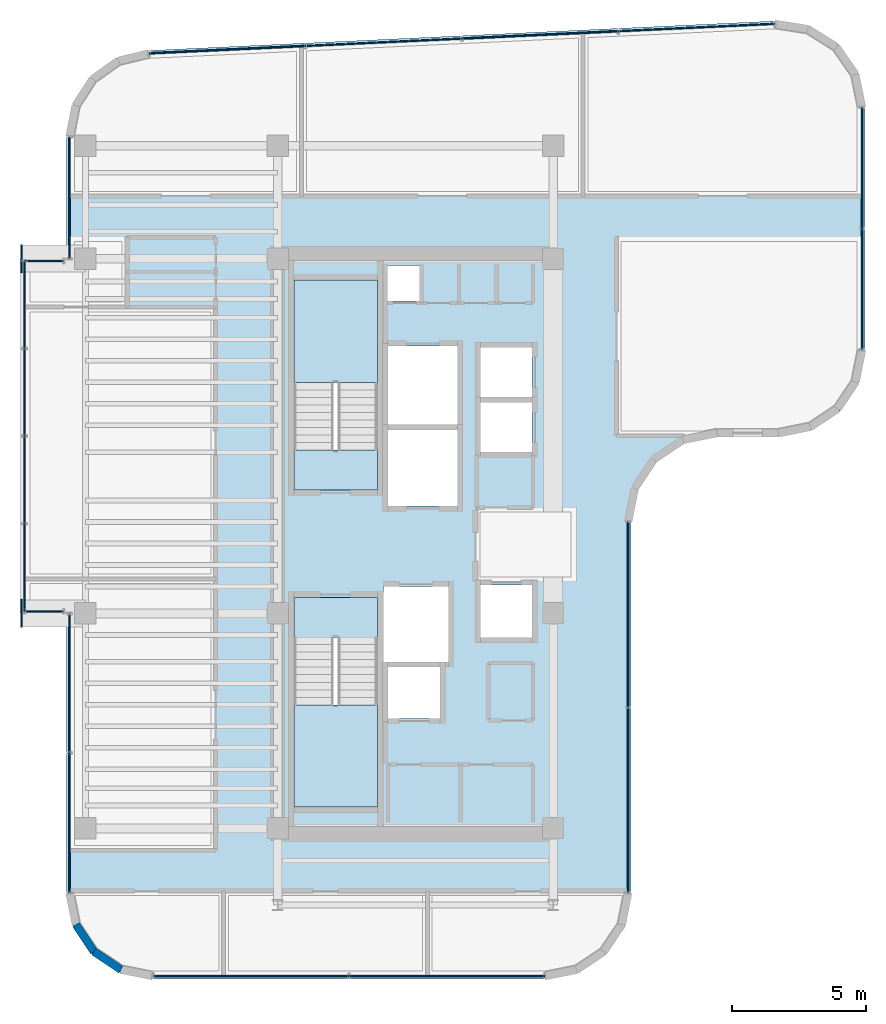
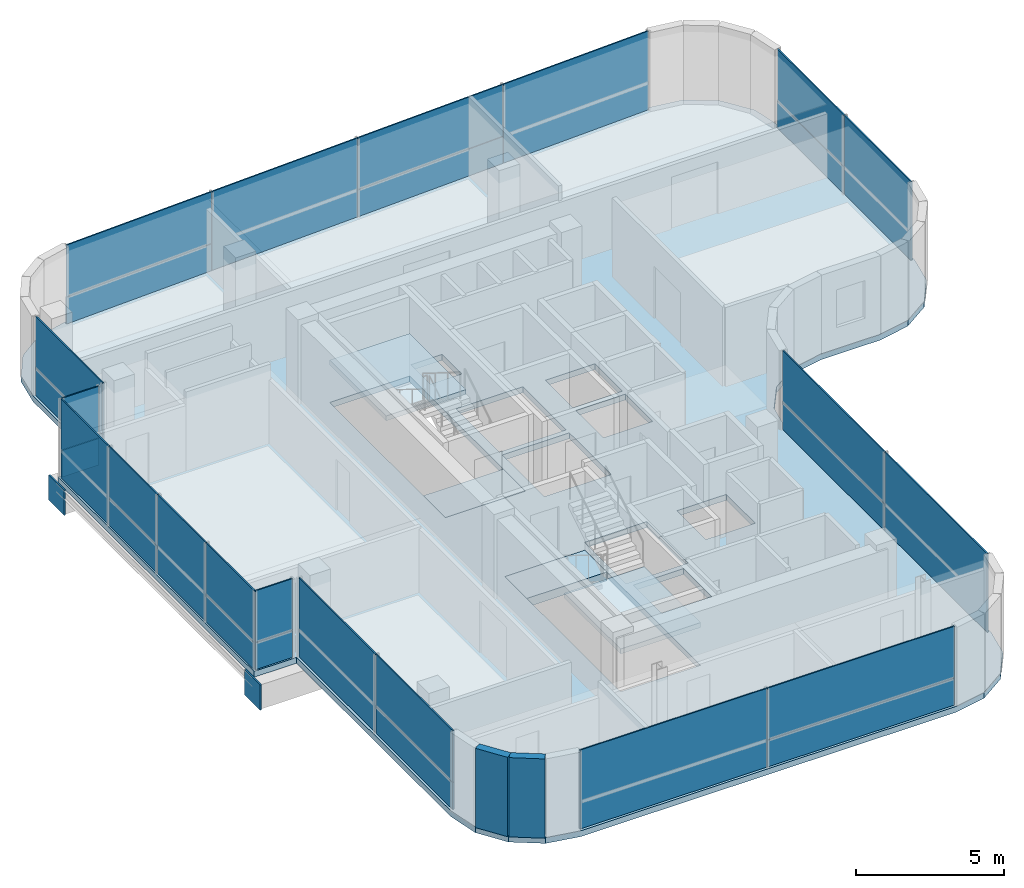
# One storey, part 13 of 18: 32 plates, 5 slabs, 2 walls, 11 elements without a shape of their own.
"""IFC4 building model written with IfcOpenShell, lengths in metres."""

from ifc_helpers import new_model, si_unit, direction, frame, frame_2d, origin, origin_2d, place, context, subcontext, project, spatial, polyline, rectangle, outline, extrude, source, transform, mapped, material, layer, layer_set, type_object, element, aggregate, save


model = new_model("IFC4")

# Units and contexts
model_context = context("Model", 3, precision=1e-05, world=origin(), true_north=direction((0.0, 1.0)))
body_context = subcontext(model_context, "Body", "Model", "MODEL_VIEW")
ifc_project = project(units=[si_unit("LENGTHUNIT", "METRE"), si_unit("AREAUNIT", "SQUARE_METRE"), si_unit("VOLUMEUNIT", "CUBIC_METRE"), si_unit("PLANEANGLEUNIT", "RADIAN"), si_unit("MASSUNIT", "GRAM", prefix="KILO")], contexts=[model_context])

# Site, building, storey
site_placement = place(None, origin())
site = spatial("IfcSite", under=ifc_project, at=site_placement, CompositionType="ELEMENT")
building_placement = place(site_placement, origin())
building = spatial("IfcBuilding", under=site, at=building_placement, Name="Valdorenza Pilgrim Sanctuary Tower", CompositionType="ELEMENT")
storey_placement = place(building_placement, frame((0.0, 0.0, 273.0)))
storey = spatial("IfcBuildingStorey", under=building, at=storey_placement, Name="L71", CompositionType="ELEMENT", Elevation=273.0)

# Slab
ifc_material_1 = material(Name="Concrete C40/50", Category="concrete")
ifc_layer_1 = layer(ifc_material_1, 0.239990234375, Name="Concrete C40/50")
ifc_layer_set_1 = layer_set([ifc_layer_1], Name="Concrete C40/50")
slab_type_1 = type_object("IfcSlabType", Name="SLAB-FLR-220", PredefinedType="FLOOR", material=ifc_layer_set_1)
slab_1_placement = place(storey_placement, frame((0.0, 0.0, -0.239990234375)))
element("IfcSlab", 1, at=slab_1_placement, inside=storey, type_object=slab_type_1, Name="L71 Structural Floor Slab 1", PredefinedType="FLOOR", context=body_context, shape_type="SweptSolid", body=[
    extrude(outline(polyline([(-30.2705078125, 16.3369140625), (-29.615478515625, 17.356201171875), (-28.628173828125, 18.05859375), (-27.45068359375, 18.34375), (-4.150634765625, 19.442138671875), (-2.880615234375, 19.243408203125), (-1.791259765625, 18.56103515625), (-1.05810546875, 17.5048828125), (-0.800048828125, 16.24560546875), (-0.800048828125, 7.199951171875), (-1.043701171875, 5.975341796875), (-1.7373046875, 4.937255859375), (-2.775390625, 4.24365234375), (-4.0, 4.0), (-6.300048828125, 4.0), (-7.524658203125, 3.75634765625), (-8.562744140625, 3.062744140625), (-9.25634765625, 2.024658203125), (-9.5, 0.800048828125), (-9.5, -13.0), (-9.74365234375, -14.224609375), (-10.437255859375, -15.2626953125), (-11.475341796875, -15.956298828125), (-12.699951171875, -16.199951171875), (-27.300048828125, -16.199951171875), (-28.524658203125, -15.956298828125), (-29.562744140625, -15.2626953125), (-30.25634765625, -14.224609375), (-30.5, -13.0), (-30.5, -2.60009765625), (-32.14990234375, -2.60009765625), (-32.14990234375, 10.60009765625), (-30.5, 10.60009765625), (-30.5, 15.147216796875), (-30.2705078125, 16.3369140625)]), holes=[polyline([(-22.050048828125, -9.800048828125), (-18.93994140625, -9.800048828125), (-18.93994140625, -3.485107421875), (-18.93994140625, -2.0), (-22.050048828125, -2.0), (-22.050048828125, -3.485107421875), (-22.050048828125, -9.800048828125)]), polyline([(-16.60009765625, -6.5), (-16.60009765625, -4.60009765625), (-18.550048828125, -4.60009765625), (-18.550048828125, -6.5), (-16.60009765625, -6.5)]), polyline([(-22.050048828125, 2.0), (-18.93994140625, 2.0), (-18.93994140625, 3.485107421875), (-18.93994140625, 9.800048828125), (-22.050048828125, 9.800048828125), (-22.050048828125, 3.485107421875), (-22.050048828125, 2.0)]), polyline([(-17.360107421875, 9.030029296875), (-17.360107421875, 10.35009765625), (-18.570068359375, 10.35009765625), (-18.570068359375, 9.030029296875), (-17.360107421875, 9.030029296875)]), polyline([(-16.300048828125, -1.60009765625), (-18.719970703125, -1.60009765625), (-18.719970703125, -4.39990234375), (-16.300048828125, -4.39990234375), (-16.300048828125, -1.60009765625)]), polyline([(-13.179931640625, -3.5), (-13.179931640625, -1.550048828125), (-15.10009765625, -1.550048828125), (-15.10009765625, -3.5), (-13.179931640625, -3.5)]), polyline([(-15.949951171875, 1.39990234375), (-15.949951171875, 4.22509765625), (-18.550048828125, 4.22509765625), (-18.550048828125, 1.39990234375), (-15.949951171875, 1.39990234375)]), polyline([(-13.179931640625, 5.25), (-15.10009765625, 5.25), (-15.10009765625, 3.39990234375), (-13.179931640625, 3.39990234375), (-13.179931640625, 5.25)]), polyline([(-15.949951171875, 4.425048828125), (-15.949951171875, 7.35009765625), (-18.550048828125, 7.35009765625), (-18.550048828125, 4.425048828125), (-15.949951171875, 4.425048828125)]), polyline([(-13.179931640625, 5.449951171875), (-13.179931640625, 7.300048828125), (-15.10009765625, 7.300048828125), (-15.10009765625, 5.449951171875), (-13.179931640625, 5.449951171875)])]), origin(), (0.0, 0.0, 1.0), 0.239990234375),
])

# Stair, slab
stair_type = type_object("IfcStairType", Name="STR-DOG-CORE", PredefinedType="HALF_TURN_STAIR", material=ifc_material_1)
stair_1_placement = place(storey_placement, origin())
stair_1 = element("IfcStair", 2, at=stair_1_placement, inside=storey, type_object=stair_type, Name="L71 ST-A1", PredefinedType="HALF_TURN_STAIR")
ifc_layer_2 = layer(ifc_material_1, 0.199951171875, Name="Concrete C40/50")
ifc_layer_set_2 = layer_set([ifc_layer_2], Name="Concrete C40/50")
slab_type_2 = type_object("IfcSlabType", Name="SLAB-STL-200", PredefinedType="LANDING", material=ifc_layer_set_2)
slab_2_placement = place(storey_placement, frame((0.0, 0.0, 1.550048828125)))
slab_2 = element("IfcSlab", 3, at=slab_2_placement, type_object=slab_type_2, Name="ST-A1 landing 1", PredefinedType="LANDING", context=body_context, shape_type="SweptSolid", body=[
    extrude(outline(polyline([(-18.93994140625, 6.0), (-18.93994140625, 9.800048828125), (-22.050048828125, 9.800048828125), (-22.050048828125, 6.0), (-18.93994140625, 6.0)])), origin(), (0.0, 0.0, 1.0), 0.199951171875),
])
aggregate(stair_1, [slab_2])

stair_2_placement = place(storey_placement, origin())
stair_2 = element("IfcStair", 4, at=stair_2_placement, inside=storey, type_object=stair_type, Name="L71 ST-A2", PredefinedType="HALF_TURN_STAIR")
slab_3_placement = place(storey_placement, frame((0.0, 0.0, 1.550048828125)))
slab_3 = element("IfcSlab", 5, at=slab_3_placement, type_object=slab_type_2, Name="ST-A2 landing 1", PredefinedType="LANDING", context=body_context, shape_type="SweptSolid", body=[
    extrude(outline(polyline([(-22.050048828125, -6.0), (-22.050048828125, -9.800048828125), (-18.93994140625, -9.800048828125), (-18.93994140625, -6.0), (-22.050048828125, -6.0)])), origin(), (0.0, 0.0, 1.0), 0.199951171875),
])
aggregate(stair_2, [slab_3])

# Slabs
ifc_material_2 = material(Name="Concrete C50/60", Category="concrete")
ifc_layer_3 = layer(ifc_material_2, 0.39990234375, Name="Concrete C50/60")
ifc_layer_set_3 = layer_set([ifc_layer_3], Name="Concrete C50/60")
slab_type_3 = type_object("IfcSlabType", Name="SLAB-TRF-400", PredefinedType="FLOOR", material=ifc_layer_set_3)
slab_4_placement = place(storey_placement, frame((0.0, 0.0, -0.360107421875)))
element("IfcSlab", 6, at=slab_4_placement, inside=storey, type_object=slab_type_3, Name="L71 ST-A1 Structural Stair Landing Bearing Slab", PredefinedType="FLOOR", context=body_context, shape_type="SweptSolid", body=[
    extrude(outline(polyline([(-22.050048828125, 2.0), (-18.93994140625, 2.0), (-18.93994140625, 3.485107421875), (-22.050048828125, 3.485107421875), (-22.050048828125, 2.0)])), origin(), (0.0, 0.0, 1.0), 0.360107421875),
])
slab_5_placement = place(storey_placement, frame((0.0, 0.0, -0.360107421875)))
element("IfcSlab", 7, at=slab_5_placement, inside=storey, type_object=slab_type_3, Name="L71 ST-A2 Structural Stair Landing Bearing Slab", PredefinedType="FLOOR", context=body_context, shape_type="SweptSolid", body=[
    extrude(outline(polyline([(-22.050048828125, -3.485107421875), (-18.93994140625, -3.485107421875), (-18.93994140625, -2.0), (-22.050048828125, -2.0), (-22.050048828125, -3.485107421875)])), origin(), (0.0, 0.0, 1.0), 0.360107421875),
])

# Plates
ifc_material_3 = material(Name="Steel ASTM A572 Grade 42", Category="steel")
ifc_layer_4 = layer(ifc_material_3, 0.06005859375, Name="Steel ASTM A572 Grade 42")
ifc_layer_set_4 = layer_set([ifc_layer_4], Name="Steel ASTM A572 Grade 42")
plate_type_1 = type_object("IfcPlateType", Name="PLT-CAP-60", PredefinedType="SHEET", material=ifc_layer_set_4)
shared_shape_1 = source(origin(), body_context, "Body", "SweptSolid", [
    extrude(rectangle(XDim=0.06005859375, YDim=1.0400390625, at=origin_2d()), origin(), (0.0, 0.0, 1.0), 1.0400390625),
])
for number, where, z_axis, x_axis, name in (
    (8, (-32.179931640625, 10.60009765625, -1.260009765625), (0.0, 0.0, 1.0), (1.0, 0.0, 0.0), "L71 BOX-WA-L71 Cantilever Tip End Cap N"),
    (9, (-32.179931640625, -2.60009765625, -1.260009765625), (0.0, 0.0, 1.0), (1.0, 0.0, 0.0), "L71 BOX-WA-L71 Cantilever Tip End Cap S"),
):
    element("IfcPlate", number, at=place(storey_placement, frame(where, z_axis=z_axis, x_axis=x_axis)), inside=storey, type_object=plate_type_1, Name=name, PredefinedType="SHEET", context=body_context, shape_type="MappedRepresentation", body=[
        mapped(shared_shape_1, transform((0.0, 0.0, 0.0), x_axis=(1.0, 0.0, 0.0), y_axis=(0.0, 1.0, 0.0), z_axis=(0.0, 0.0, 1.0), scale=1.0)),
    ])

# Curtain wall, plate
ifc_material_4 = material(Name="Curtain-wall IGU glazing", Category="glass")
curtain_wall_type = type_object("IfcCurtainWallType", Name="CW-SYS-02", PredefinedType="NOTDEFINED", material=ifc_material_4)
curtain_wall_1_placement = place(storey_placement, origin())
curtain_wall_1 = element("IfcCurtainWall", 10, at=curtain_wall_1_placement, inside=storey, type_object=curtain_wall_type, Name="L71 Curtain Wall CW-L71-BOX-WA-L71-S", PredefinedType="NOTDEFINED")
ifc_material_5 = material(Name="Honed travertine limestone", Category="masonry")
ifc_layer_5 = layer(ifc_material_5, 0.050048828125, Name="Honed travertine limestone")
ifc_layer_set_5 = layer_set([ifc_layer_5], Name="Honed travertine limestone")
plate_type_2 = type_object("IfcPlateType", Name="CW-SPN-TRV", PredefinedType="USERDEFINED", material=ifc_layer_set_5)
shared_shape_2 = source(origin(), body_context, "Body", "SweptSolid", [
    extrude(rectangle(XDim=1.43994140625, YDim=0.06005859375, at=origin_2d()), origin(), (0.0, 0.0, 1.0), 1.10009765625),
])
plate_1_placement = place(storey_placement, frame((-31.340087890625, -2.52001953125, 0.010009765625), z_axis=(0.0, 0.0, 1.0), x_axis=(-1.0, 0.0, 0.0)))
plate_1 = element("IfcPlate", 11, at=plate_1_placement, type_object=plate_type_2, Name="CW-L71-BOX-WA-L71-S Travertine Spandrel 1", ObjectType="SPANDREL", PredefinedType="USERDEFINED", context=body_context, shape_type="MappedRepresentation", body=[
    mapped(shared_shape_2, transform((0.0, 0.0, 0.0), x_axis=(1.0, 0.0, 0.0), y_axis=(0.0, 1.0, 0.0), z_axis=(0.0, 0.0, 1.0), scale=1.0)),
])

curtain_wall_2_placement = place(storey_placement, origin())
curtain_wall_2 = element("IfcCurtainWall", 12, at=curtain_wall_2_placement, inside=storey, type_object=curtain_wall_type, Name="L71 Curtain Wall CW-L71-BOX-WA-L71-N", PredefinedType="NOTDEFINED")
plate_2_placement = place(storey_placement, frame((-31.340087890625, 10.52001953125, 0.010009765625), z_axis=(0.0, 0.0, 1.0), x_axis=(1.0, 0.0, 0.0)))
plate_2 = element("IfcPlate", 13, at=plate_2_placement, type_object=plate_type_2, Name="CW-L71-BOX-WA-L71-N Travertine Spandrel 1", ObjectType="SPANDREL", PredefinedType="USERDEFINED", context=body_context, shape_type="MappedRepresentation", body=[
    mapped(shared_shape_2, transform((0.0, 0.0, 0.0), x_axis=(1.0, 0.0, 0.0), y_axis=(0.0, 1.0, 0.0), z_axis=(0.0, 0.0, 1.0), scale=1.0)),
])

# Curtain wall, plates
curtain_wall_3_placement = place(storey_placement, origin())
curtain_wall_3 = element("IfcCurtainWall", 14, at=curtain_wall_3_placement, inside=storey, type_object=curtain_wall_type, Name="L71 Curtain Wall CW-L71-BOX-WA-L71-F", PredefinedType="NOTDEFINED")
shared_shape_3 = source(origin(), body_context, "Body", "SweptSolid", [
    extrude(rectangle(XDim=3.239990234375, YDim=0.06005859375, at=origin_2d()), origin(), (0.0, 0.0, 1.0), 1.10009765625),
])
plate_3_placement = place(storey_placement, frame((-32.070068359375, -0.889892578125, 0.010009765625), z_axis=(0.0, 0.0, 1.0), x_axis=(0.0, 1.0, 0.0)))
plate_3 = element("IfcPlate", 15, at=plate_3_placement, type_object=plate_type_2, Name="CW-L71-BOX-WA-L71-F Travertine Spandrel 1", ObjectType="SPANDREL", PredefinedType="USERDEFINED", context=body_context, shape_type="MappedRepresentation", body=[
    mapped(shared_shape_3, transform((0.0, 0.0, 0.0), x_axis=(1.0, 0.0, 0.0), y_axis=(0.0, 1.0, 0.0), z_axis=(0.0, 0.0, 1.0), scale=1.0)),
])
plate_4_placement = place(storey_placement, frame((-32.070068359375, 5.6298828125, 0.010009765625), z_axis=(0.0, 0.0, 1.0), x_axis=(0.0, 1.0, 0.0)))
plate_4 = element("IfcPlate", 16, at=plate_4_placement, type_object=plate_type_2, Name="CW-L71-BOX-WA-L71-F Travertine Spandrel 3", ObjectType="SPANDREL", PredefinedType="USERDEFINED", context=body_context, shape_type="MappedRepresentation", body=[
    mapped(shared_shape_3, transform((0.0, 0.0, 0.0), x_axis=(1.0, 0.0, 0.0), y_axis=(0.0, 1.0, 0.0), z_axis=(0.0, 0.0, 1.0), scale=1.0)),
])

# Plate
ifc_material_6 = material(Name="Ceramic-fritted low-E IGU glazing", Category="glass")
ifc_layer_6 = layer(ifc_material_6, 0.035888671875, Name="Ceramic-fritted low-E IGU glazing")
ifc_layer_set_6 = layer_set([ifc_layer_6], Name="Ceramic-fritted low-E IGU glazing")
plate_type_3 = type_object("IfcPlateType", Name="CW-GLZ-IGU", PredefinedType="USERDEFINED", material=ifc_layer_set_6)
shared_shape_4 = source(origin(), body_context, "Body", "SweptSolid", [
    extrude(rectangle(XDim=1.43994140625, YDim=0.050048828125, at=origin_2d()), origin(), (0.0, 0.0, 1.0), 2.1201171875),
])
plate_5_placement = place(storey_placement, frame((-31.340087890625, -2.52001953125, 1.1298828125), z_axis=(0.0, 0.0, 1.0), x_axis=(-1.0, 0.0, 0.0)))
plate_5 = element("IfcPlate", 17, at=plate_5_placement, type_object=plate_type_3, Name="CW-L71-BOX-WA-L71-S Facade Panel 1", ObjectType="GLAZING", PredefinedType="USERDEFINED", context=body_context, shape_type="MappedRepresentation", body=[
    mapped(shared_shape_4, transform((0.0, 0.0, 0.0), x_axis=(1.0, 0.0, 0.0), y_axis=(0.0, 1.0, 0.0), z_axis=(0.0, 0.0, 1.0), scale=1.0)),
])

aggregate(curtain_wall_1, [plate_1, plate_5])

plate_6_placement = place(storey_placement, frame((-31.340087890625, 10.52001953125, 1.1298828125), z_axis=(0.0, 0.0, 1.0), x_axis=(1.0, 0.0, 0.0)))
plate_6 = element("IfcPlate", 18, at=plate_6_placement, type_object=plate_type_3, Name="CW-L71-BOX-WA-L71-N Facade Panel 1", ObjectType="GLAZING", PredefinedType="USERDEFINED", context=body_context, shape_type="MappedRepresentation", body=[
    mapped(shared_shape_4, transform((0.0, 0.0, 0.0), x_axis=(1.0, 0.0, 0.0), y_axis=(0.0, 1.0, 0.0), z_axis=(0.0, 0.0, 1.0), scale=1.0)),
])

aggregate(curtain_wall_2, [plate_2, plate_6])

shared_shape_5 = source(origin(), body_context, "Body", "SweptSolid", [
    extrude(rectangle(XDim=3.239990234375, YDim=0.050048828125, at=origin_2d()), origin(), (0.0, 0.0, 1.0), 2.1201171875),
])
plate_7_placement = place(storey_placement, frame((-32.070068359375, -0.889892578125, 1.1298828125), z_axis=(0.0, 0.0, 1.0), x_axis=(0.0, 1.0, 0.0)))
plate_7 = element("IfcPlate", 19, at=plate_7_placement, type_object=plate_type_3, Name="CW-L71-BOX-WA-L71-F Facade Panel 1", ObjectType="GLAZING", PredefinedType="USERDEFINED", context=body_context, shape_type="MappedRepresentation", body=[
    mapped(shared_shape_5, transform((0.0, 0.0, 0.0), x_axis=(1.0, 0.0, 0.0), y_axis=(0.0, 1.0, 0.0), z_axis=(0.0, 0.0, 1.0), scale=1.0)),
])

plate_8_placement = place(storey_placement, frame((-32.070068359375, 5.6298828125, 1.1298828125), z_axis=(0.0, 0.0, 1.0), x_axis=(0.0, 1.0, 0.0)))
plate_8 = element("IfcPlate", 20, at=plate_8_placement, type_object=plate_type_3, Name="CW-L71-BOX-WA-L71-F Facade Panel 3", ObjectType="GLAZING", PredefinedType="USERDEFINED", context=body_context, shape_type="MappedRepresentation", body=[
    mapped(shared_shape_5, transform((0.0, 0.0, 0.0), x_axis=(1.0, 0.0, 0.0), y_axis=(0.0, 1.0, 0.0), z_axis=(0.0, 0.0, 1.0), scale=1.0)),
])

shared_shape_6 = source(origin(), body_context, "Body", "SweptSolid", [
    extrude(rectangle(XDim=3.239990234375, YDim=0.050048828125, at=origin_2d()), origin(), (0.0, 0.0, 1.0), 3.239990234375),
])
plate_9_placement = place(storey_placement, frame((-32.070068359375, 2.3701171875, 0.009765625), z_axis=(0.0, 0.0, 1.0), x_axis=(0.0, 1.0, 0.0)))
plate_9 = element("IfcPlate", 21, at=plate_9_placement, type_object=plate_type_3, Name="CW-L71-BOX-WA-L71-F Full-Height Facade Panel 2", ObjectType="GLAZING", PredefinedType="USERDEFINED", context=body_context, shape_type="MappedRepresentation", body=[
    mapped(shared_shape_6, transform((0.0, 0.0, 0.0), x_axis=(1.0, 0.0, 0.0), y_axis=(0.0, 1.0, 0.0), z_axis=(0.0, 0.0, 1.0), scale=1.0)),
])

plate_10_placement = place(storey_placement, frame((-32.070068359375, 8.889892578125, 0.009765625), z_axis=(0.0, 0.0, 1.0), x_axis=(0.0, 1.0, 0.0)))
plate_10 = element("IfcPlate", 22, at=plate_10_placement, type_object=plate_type_3, Name="CW-L71-BOX-WA-L71-F Full-Height Facade Panel 4", ObjectType="GLAZING", PredefinedType="USERDEFINED", context=body_context, shape_type="MappedRepresentation", body=[
    mapped(shared_shape_6, transform((0.0, 0.0, 0.0), x_axis=(1.0, 0.0, 0.0), y_axis=(0.0, 1.0, 0.0), z_axis=(0.0, 0.0, 1.0), scale=1.0)),
])

aggregate(curtain_wall_3, [plate_3, plate_7, plate_9, plate_4, plate_8, plate_10])

# Curtain wall, plates
curtain_wall_4_placement = place(storey_placement, origin())
curtain_wall_4 = element("IfcCurtainWall", 23, at=curtain_wall_4_placement, inside=storey, type_object=curtain_wall_type, Name="L71 Curtain Wall CW-L71-1-1S1", PredefinedType="NOTDEFINED")
shared_shape_7 = source(origin(), body_context, "Body", "SweptSolid", [
    extrude(rectangle(XDim=5.174560546875, YDim=0.06005859375, at=origin_2d()), origin(), (0.0, 0.0, 1.0), 1.10009765625),
])
plate_11_placement = place(storey_placement, frame((-30.389892578125, -10.391845703125, 0.010009765625), z_axis=(0.0, 0.0, 1.0), x_axis=(0.0, 1.0, 0.0)))
plate_11 = element("IfcPlate", 24, at=plate_11_placement, type_object=plate_type_2, Name="CW-L71-1-1S1 Travertine Spandrel 1", ObjectType="SPANDREL", PredefinedType="USERDEFINED", context=body_context, shape_type="MappedRepresentation", body=[
    mapped(shared_shape_7, transform((0.0, 0.0, 0.0), x_axis=(1.0, 0.0, 0.0), y_axis=(0.0, 1.0, 0.0), z_axis=(0.0, 0.0, 1.0), scale=1.0)),
])
shared_shape_8 = source(origin(), body_context, "Body", "SweptSolid", [
    extrude(rectangle(XDim=5.174560546875, YDim=0.050048828125, at=origin_2d()), origin(), (0.0, 0.0, 1.0), 2.1201171875),
])
plate_12_placement = place(storey_placement, frame((-30.389892578125, -10.391845703125, 1.1298828125), z_axis=(0.0, 0.0, 1.0), x_axis=(0.0, 1.0, 0.0)))
plate_12 = element("IfcPlate", 25, at=plate_12_placement, type_object=plate_type_3, Name="CW-L71-1-1S1 Facade Panel 1", ObjectType="GLAZING", PredefinedType="USERDEFINED", context=body_context, shape_type="MappedRepresentation", body=[
    mapped(shared_shape_8, transform((0.0, 0.0, 0.0), x_axis=(1.0, 0.0, 0.0), y_axis=(0.0, 1.0, 0.0), z_axis=(0.0, 0.0, 1.0), scale=1.0)),
])
shared_shape_9 = source(origin(), body_context, "Body", "SweptSolid", [
    extrude(rectangle(XDim=5.174560546875, YDim=0.050048828125, at=origin_2d()), origin(), (0.0, 0.0, 1.0), 3.239990234375),
])
plate_13_placement = place(storey_placement, frame((-30.389892578125, -5.197265625, 0.009765625), z_axis=(0.0, 0.0, 1.0), x_axis=(0.0, 1.0, 0.0)))
plate_13 = element("IfcPlate", 26, at=plate_13_placement, type_object=plate_type_3, Name="CW-L71-1-1S1 Full-Height Facade Panel 2", ObjectType="GLAZING", PredefinedType="USERDEFINED", context=body_context, shape_type="MappedRepresentation", body=[
    mapped(shared_shape_9, transform((0.0, 0.0, 0.0), x_axis=(1.0, 0.0, 0.0), y_axis=(0.0, 1.0, 0.0), z_axis=(0.0, 0.0, 1.0), scale=1.0)),
])
aggregate(curtain_wall_4, [plate_11, plate_12, plate_13])

curtain_wall_5_placement = place(storey_placement, origin())
curtain_wall_5 = element("IfcCurtainWall", 27, at=curtain_wall_5_placement, inside=storey, type_object=curtain_wall_type, Name="L71 Curtain Wall CW-L71-1-1S2", PredefinedType="NOTDEFINED")
shared_shape_10 = source(origin(), body_context, "Body", "SweptSolid", [
    extrude(rectangle(XDim=4.516845703125, YDim=0.06005859375, at=origin_2d()), origin(), (0.0, 0.0, 1.0), 1.10009765625),
])
plate_14_placement = place(storey_placement, frame((-30.389892578125, 12.868408203125, 0.010009765625), z_axis=(0.0, 0.0, 1.0), x_axis=(0.0, 1.0, 0.0)))
plate_14 = element("IfcPlate", 28, at=plate_14_placement, type_object=plate_type_2, Name="CW-L71-1-1S2 Travertine Spandrel 1", ObjectType="SPANDREL", PredefinedType="USERDEFINED", context=body_context, shape_type="MappedRepresentation", body=[
    mapped(shared_shape_10, transform((0.0, 0.0, 0.0), x_axis=(1.0, 0.0, 0.0), y_axis=(0.0, 1.0, 0.0), z_axis=(0.0, 0.0, 1.0), scale=1.0)),
])
shared_shape_11 = source(origin(), body_context, "Body", "SweptSolid", [
    extrude(rectangle(XDim=4.516845703125, YDim=0.050048828125, at=origin_2d()), origin(), (0.0, 0.0, 1.0), 2.1201171875),
])
plate_15_placement = place(storey_placement, frame((-30.389892578125, 12.868408203125, 1.1298828125), z_axis=(0.0, 0.0, 1.0), x_axis=(0.0, 1.0, 0.0)))
plate_15 = element("IfcPlate", 29, at=plate_15_placement, type_object=plate_type_3, Name="CW-L71-1-1S2 Facade Panel 1", ObjectType="GLAZING", PredefinedType="USERDEFINED", context=body_context, shape_type="MappedRepresentation", body=[
    mapped(shared_shape_11, transform((0.0, 0.0, 0.0), x_axis=(1.0, 0.0, 0.0), y_axis=(0.0, 1.0, 0.0), z_axis=(0.0, 0.0, 1.0), scale=1.0)),
])
aggregate(curtain_wall_5, [plate_14, plate_15])

curtain_wall_6_placement = place(storey_placement, origin())
curtain_wall_6 = element("IfcCurtainWall", 30, at=curtain_wall_6_placement, inside=storey, type_object=curtain_wall_type, Name="L71 Curtain Wall CW-L71-1-6", PredefinedType="NOTDEFINED")
shared_shape_12 = source(origin(), body_context, "Body", "SweptSolid", [
    extrude(rectangle(XDim=5.805908203125, YDim=0.06005859375, at=origin_2d()), origin(), (0.0, 0.0, 1.0), 1.10009765625),
])
plate_16_placement = place(storey_placement, frame((-24.525146484375, 18.37158203125, 0.010009765625), z_axis=(0.0, 0.0, 1.0), x_axis=(0.998890696972, 0.047089016785, 0.0)))
plate_16 = element("IfcPlate", 31, at=plate_16_placement, type_object=plate_type_2, Name="CW-L71-1-6 Travertine Spandrel 1", ObjectType="SPANDREL", PredefinedType="USERDEFINED", context=body_context, shape_type="MappedRepresentation", body=[
    mapped(shared_shape_12, transform((0.0, 0.0, 0.0), x_axis=(1.0, 0.0, 0.0), y_axis=(0.0, 1.0, 0.0), z_axis=(0.0, 0.0, 1.0), scale=1.0)),
])
plate_17_placement = place(storey_placement, frame((-12.885986328125, 18.920166015625, 0.010009765625), z_axis=(0.0, 0.0, 1.0), x_axis=(0.998890696972, 0.047089016785, 0.0)))
plate_17 = element("IfcPlate", 32, at=plate_17_placement, type_object=plate_type_2, Name="CW-L71-1-6 Travertine Spandrel 3", ObjectType="SPANDREL", PredefinedType="USERDEFINED", context=body_context, shape_type="MappedRepresentation", body=[
    mapped(shared_shape_12, transform((0.0, 0.0, 0.0), x_axis=(1.0, 0.0, 0.0), y_axis=(0.0, 1.0, 0.0), z_axis=(0.0, 0.0, 1.0), scale=1.0)),
])
shared_shape_13 = source(origin(), body_context, "Body", "SweptSolid", [
    extrude(rectangle(XDim=5.805908203125, YDim=0.050048828125, at=origin_2d()), origin(), (0.0, 0.0, 1.0), 2.1201171875),
])
plate_18_placement = place(storey_placement, frame((-24.525146484375, 18.37158203125, 1.1298828125), z_axis=(0.0, 0.0, 1.0), x_axis=(0.998890696972, 0.047089016785, 0.0)))
plate_18 = element("IfcPlate", 33, at=plate_18_placement, type_object=plate_type_3, Name="CW-L71-1-6 Facade Panel 1", ObjectType="GLAZING", PredefinedType="USERDEFINED", context=body_context, shape_type="MappedRepresentation", body=[
    mapped(shared_shape_13, transform((0.0, 0.0, 0.0), x_axis=(1.0, 0.0, 0.0), y_axis=(0.0, 1.0, 0.0), z_axis=(0.0, 0.0, 1.0), scale=1.0)),
])
plate_19_placement = place(storey_placement, frame((-12.885986328125, 18.920166015625, 1.1298828125), z_axis=(0.0, 0.0, 1.0), x_axis=(0.998890696972, 0.047089016785, 0.0)))
plate_19 = element("IfcPlate", 34, at=plate_19_placement, type_object=plate_type_3, Name="CW-L71-1-6 Facade Panel 3", ObjectType="GLAZING", PredefinedType="USERDEFINED", context=body_context, shape_type="MappedRepresentation", body=[
    mapped(shared_shape_13, transform((0.0, 0.0, 0.0), x_axis=(1.0, 0.0, 0.0), y_axis=(0.0, 1.0, 0.0), z_axis=(0.0, 0.0, 1.0), scale=1.0)),
])
shared_shape_14 = source(origin(), body_context, "Body", "SweptSolid", [
    extrude(rectangle(XDim=5.805908203125, YDim=0.050048828125, at=origin_2d()), origin(), (0.0, 0.0, 1.0), 3.239990234375),
])
plate_20_placement = place(storey_placement, frame((-18.70556640625, 18.645751953125, 0.009765625), z_axis=(0.0, 0.0, 1.0), x_axis=(0.998890696972, 0.047089016785, 0.0)))
plate_20 = element("IfcPlate", 35, at=plate_20_placement, type_object=plate_type_3, Name="CW-L71-1-6 Full-Height Facade Panel 2", ObjectType="GLAZING", PredefinedType="USERDEFINED", context=body_context, shape_type="MappedRepresentation", body=[
    mapped(shared_shape_14, transform((0.0, 0.0, 0.0), x_axis=(1.0, 0.0, 0.0), y_axis=(0.0, 1.0, 0.0), z_axis=(0.0, 0.0, 1.0), scale=1.0)),
])
plate_21_placement = place(storey_placement, frame((-7.06640625, 19.194580078125, 0.009765625), z_axis=(0.0, 0.0, 1.0), x_axis=(0.998890696972, 0.047089016785, 0.0)))
plate_21 = element("IfcPlate", 36, at=plate_21_placement, type_object=plate_type_3, Name="CW-L71-1-6 Full-Height Facade Panel 4", ObjectType="GLAZING", PredefinedType="USERDEFINED", context=body_context, shape_type="MappedRepresentation", body=[
    mapped(shared_shape_14, transform((0.0, 0.0, 0.0), x_axis=(1.0, 0.0, 0.0), y_axis=(0.0, 1.0, 0.0), z_axis=(0.0, 0.0, 1.0), scale=1.0)),
])
aggregate(curtain_wall_6, [plate_16, plate_18, plate_20, plate_17, plate_19, plate_21])

curtain_wall_7_placement = place(storey_placement, origin())
curtain_wall_7 = element("IfcCurtainWall", 37, at=curtain_wall_7_placement, inside=storey, type_object=curtain_wall_type, Name="L71 Curtain Wall CW-L71-1-11", PredefinedType="NOTDEFINED")
shared_shape_15 = source(origin(), body_context, "Body", "SweptSolid", [
    extrude(rectangle(XDim=4.49169921875, YDim=0.06005859375, at=origin_2d()), origin(), (0.0, 0.0, 1.0), 1.10009765625),
])
plate_22_placement = place(storey_placement, frame((-0.909912109375, 13.978515625, 0.010009765625), z_axis=(0.0, 0.0, 1.0), x_axis=(0.0, -1.0, 0.0)))
plate_22 = element("IfcPlate", 38, at=plate_22_placement, type_object=plate_type_2, Name="CW-L71-1-11 Travertine Spandrel 1", ObjectType="SPANDREL", PredefinedType="USERDEFINED", context=body_context, shape_type="MappedRepresentation", body=[
    mapped(shared_shape_15, transform((0.0, 0.0, 0.0), x_axis=(1.0, 0.0, 0.0), y_axis=(0.0, 1.0, 0.0), z_axis=(0.0, 0.0, 1.0), scale=1.0)),
])
shared_shape_16 = source(origin(), body_context, "Body", "SweptSolid", [
    extrude(rectangle(XDim=4.49169921875, YDim=0.050048828125, at=origin_2d()), origin(), (0.0, 0.0, 1.0), 2.1201171875),
])
plate_23_placement = place(storey_placement, frame((-0.909912109375, 13.978515625, 1.1298828125), z_axis=(0.0, 0.0, 1.0), x_axis=(0.0, -1.0, 0.0)))
plate_23 = element("IfcPlate", 39, at=plate_23_placement, type_object=plate_type_3, Name="CW-L71-1-11 Facade Panel 1", ObjectType="GLAZING", PredefinedType="USERDEFINED", context=body_context, shape_type="MappedRepresentation", body=[
    mapped(shared_shape_16, transform((0.0, 0.0, 0.0), x_axis=(1.0, 0.0, 0.0), y_axis=(0.0, 1.0, 0.0), z_axis=(0.0, 0.0, 1.0), scale=1.0)),
])
shared_shape_17 = source(origin(), body_context, "Body", "SweptSolid", [
    extrude(rectangle(XDim=4.49169921875, YDim=0.050048828125, at=origin_2d()), origin(), (0.0, 0.0, 1.0), 3.239990234375),
])
plate_24_placement = place(storey_placement, frame((-0.909912109375, 9.466796875, 0.009765625), z_axis=(0.0, 0.0, 1.0), x_axis=(0.0, -1.0, 0.0)))
plate_24 = element("IfcPlate", 40, at=plate_24_placement, type_object=plate_type_3, Name="CW-L71-1-11 Full-Height Facade Panel 2", ObjectType="GLAZING", PredefinedType="USERDEFINED", context=body_context, shape_type="MappedRepresentation", body=[
    mapped(shared_shape_17, transform((0.0, 0.0, 0.0), x_axis=(1.0, 0.0, 0.0), y_axis=(0.0, 1.0, 0.0), z_axis=(0.0, 0.0, 1.0), scale=1.0)),
])
aggregate(curtain_wall_7, [plate_22, plate_23, plate_24])

curtain_wall_8_placement = place(storey_placement, origin())
curtain_wall_8 = element("IfcCurtainWall", 41, at=curtain_wall_8_placement, inside=storey, type_object=curtain_wall_type, Name="L71 Curtain Wall CW-L71-1-21", PredefinedType="NOTDEFINED")
shared_shape_18 = source(origin(), body_context, "Body", "SweptSolid", [
    extrude(rectangle(XDim=6.8798828125, YDim=0.06005859375, at=origin_2d()), origin(), (0.0, 0.0, 1.0), 1.10009765625),
])
plate_25_placement = place(storey_placement, frame((-9.610107421875, -2.63916015625, 0.010009765625), z_axis=(0.0, 0.0, 1.0), x_axis=(0.0, -1.0, 0.0)))
plate_25 = element("IfcPlate", 42, at=plate_25_placement, type_object=plate_type_2, Name="CW-L71-1-21 Travertine Spandrel 1", ObjectType="SPANDREL", PredefinedType="USERDEFINED", context=body_context, shape_type="MappedRepresentation", body=[
    mapped(shared_shape_18, transform((0.0, 0.0, 0.0), x_axis=(1.0, 0.0, 0.0), y_axis=(0.0, 1.0, 0.0), z_axis=(0.0, 0.0, 1.0), scale=1.0)),
])
shared_shape_19 = source(origin(), body_context, "Body", "SweptSolid", [
    extrude(rectangle(XDim=6.8798828125, YDim=0.050048828125, at=origin_2d()), origin(), (0.0, 0.0, 1.0), 2.1201171875),
])
plate_26_placement = place(storey_placement, frame((-9.610107421875, -2.63916015625, 1.1298828125), z_axis=(0.0, 0.0, 1.0), x_axis=(0.0, -1.0, 0.0)))
plate_26 = element("IfcPlate", 43, at=plate_26_placement, type_object=plate_type_3, Name="CW-L71-1-21 Facade Panel 1", ObjectType="GLAZING", PredefinedType="USERDEFINED", context=body_context, shape_type="MappedRepresentation", body=[
    mapped(shared_shape_19, transform((0.0, 0.0, 0.0), x_axis=(1.0, 0.0, 0.0), y_axis=(0.0, 1.0, 0.0), z_axis=(0.0, 0.0, 1.0), scale=1.0)),
])
shared_shape_20 = source(origin(), body_context, "Body", "SweptSolid", [
    extrude(rectangle(XDim=6.8798828125, YDim=0.050048828125, at=origin_2d()), origin(), (0.0, 0.0, 1.0), 3.239990234375),
])
plate_27_placement = place(storey_placement, frame((-9.610107421875, -9.539306640625, 0.009765625), z_axis=(0.0, 0.0, 1.0), x_axis=(0.0, -1.0, 0.0)))
plate_27 = element("IfcPlate", 44, at=plate_27_placement, type_object=plate_type_3, Name="CW-L71-1-21 Full-Height Facade Panel 2", ObjectType="GLAZING", PredefinedType="USERDEFINED", context=body_context, shape_type="MappedRepresentation", body=[
    mapped(shared_shape_20, transform((0.0, 0.0, 0.0), x_axis=(1.0, 0.0, 0.0), y_axis=(0.0, 1.0, 0.0), z_axis=(0.0, 0.0, 1.0), scale=1.0)),
])
aggregate(curtain_wall_8, [plate_25, plate_26, plate_27])

curtain_wall_9_placement = place(storey_placement, origin())
curtain_wall_9 = element("IfcCurtainWall", 45, at=curtain_wall_9_placement, inside=storey, type_object=curtain_wall_type, Name="L71 Curtain Wall CW-L71-1-26", PredefinedType="NOTDEFINED")
shared_shape_21 = source(origin(), body_context, "Body", "SweptSolid", [
    extrude(rectangle(XDim=7.269287109375, YDim=0.06005859375, at=origin_2d()), origin(), (0.0, 0.0, 1.0), 1.10009765625),
])
plate_28_placement = place(storey_placement, frame((-16.35546875, -16.090087890625, 0.010009765625), z_axis=(0.0, 0.0, 1.0), x_axis=(-1.0, 0.0, 0.0)))
plate_28 = element("IfcPlate", 46, at=plate_28_placement, type_object=plate_type_2, Name="CW-L71-1-26 Travertine Spandrel 1", ObjectType="SPANDREL", PredefinedType="USERDEFINED", context=body_context, shape_type="MappedRepresentation", body=[
    mapped(shared_shape_21, transform((0.0, 0.0, 0.0), x_axis=(1.0, 0.0, 0.0), y_axis=(0.0, 1.0, 0.0), z_axis=(0.0, 0.0, 1.0), scale=1.0)),
])
shared_shape_22 = source(origin(), body_context, "Body", "SweptSolid", [
    extrude(rectangle(XDim=7.269287109375, YDim=0.050048828125, at=origin_2d()), origin(), (0.0, 0.0, 1.0), 2.1201171875),
])
plate_29_placement = place(storey_placement, frame((-16.35546875, -16.090087890625, 1.1298828125), z_axis=(0.0, 0.0, 1.0), x_axis=(-1.0, 0.0, 0.0)))
plate_29 = element("IfcPlate", 47, at=plate_29_placement, type_object=plate_type_3, Name="CW-L71-1-26 Facade Panel 1", ObjectType="GLAZING", PredefinedType="USERDEFINED", context=body_context, shape_type="MappedRepresentation", body=[
    mapped(shared_shape_22, transform((0.0, 0.0, 0.0), x_axis=(1.0, 0.0, 0.0), y_axis=(0.0, 1.0, 0.0), z_axis=(0.0, 0.0, 1.0), scale=1.0)),
])
shared_shape_23 = source(origin(), body_context, "Body", "SweptSolid", [
    extrude(rectangle(XDim=7.269287109375, YDim=0.050048828125, at=origin_2d()), origin(), (0.0, 0.0, 1.0), 3.239990234375),
])
plate_30_placement = place(storey_placement, frame((-23.64453125, -16.090087890625, 0.009765625), z_axis=(0.0, 0.0, 1.0), x_axis=(-1.0, 0.0, 0.0)))
plate_30 = element("IfcPlate", 48, at=plate_30_placement, type_object=plate_type_3, Name="CW-L71-1-26 Full-Height Facade Panel 2", ObjectType="GLAZING", PredefinedType="USERDEFINED", context=body_context, shape_type="MappedRepresentation", body=[
    mapped(shared_shape_23, transform((0.0, 0.0, 0.0), x_axis=(1.0, 0.0, 0.0), y_axis=(0.0, 1.0, 0.0), z_axis=(0.0, 0.0, 1.0), scale=1.0)),
])
aggregate(curtain_wall_9, [plate_28, plate_29, plate_30])

# Walls
ifc_layer_7 = layer(ifc_material_5, 0.300048828125, Name="Honed travertine limestone")
ifc_layer_set_7 = layer_set([ifc_layer_7], Name="Honed travertine limestone")
wall_type = type_object("IfcWallType", Name="WAL-EXT-300", PredefinedType="SOLIDWALL", material=ifc_layer_set_7)
for number, where, z_axis, x_axis, name in (
    (49, (-28.481689453125, -15.852783203125, 0.0), (0.0, 0.0, 1.0), (-0.831426265255, 0.555635100982, 0.0), "L71 Rounded Wind-Corner Stone Pier 28"),
    (50, (-29.4833984375, -15.183349609375, 0.0), (0.0, 0.0, 1.0), (-0.555635100982, 0.831426265255, 0.0), "L71 Rounded Wind-Corner Stone Pier 29"),
):
    element("IfcWall", number, at=place(storey_placement, frame(where, z_axis=z_axis, x_axis=x_axis)), inside=storey, type_object=wall_type, Name=name, PredefinedType="SOLIDWALL", context=body_context, shape_type="SweptSolid", body=[
        extrude(rectangle(XDim=1.204833984375, YDim=0.300048828125, at=frame_2d((0.6025390625, 0.0))), origin(), (0.0, 0.0, 1.0), 3.260009765625),
    ])

save(model, "model.ifc")
